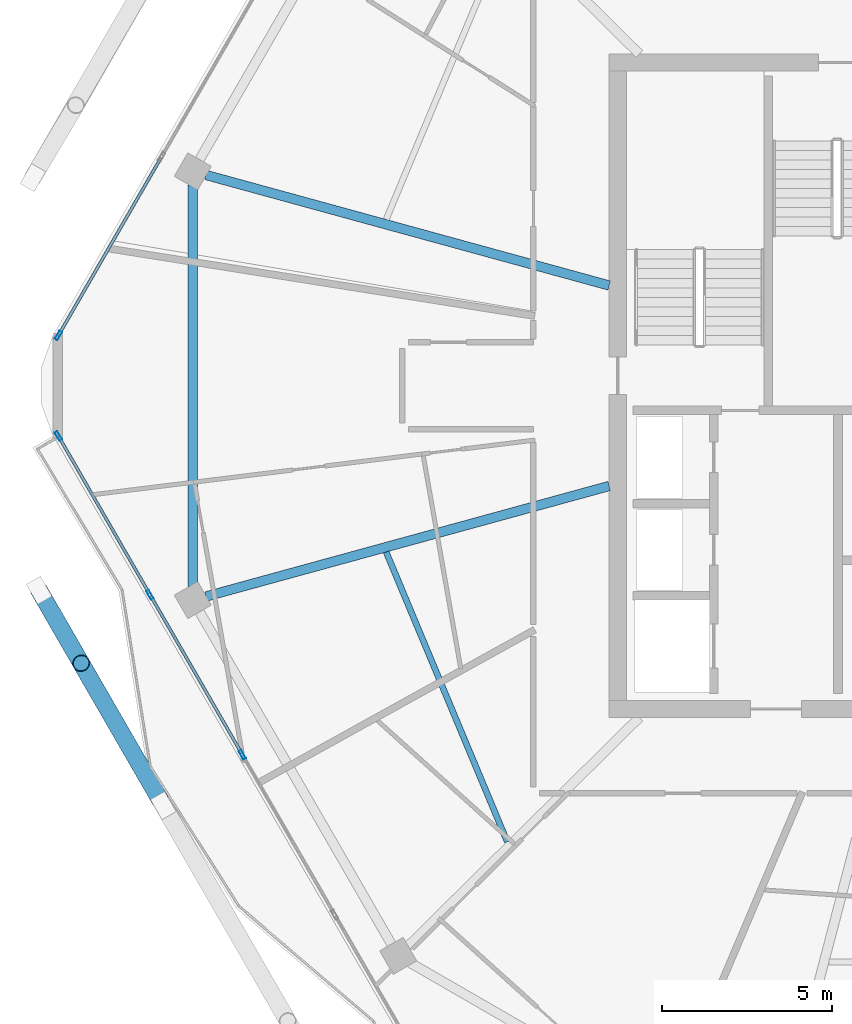
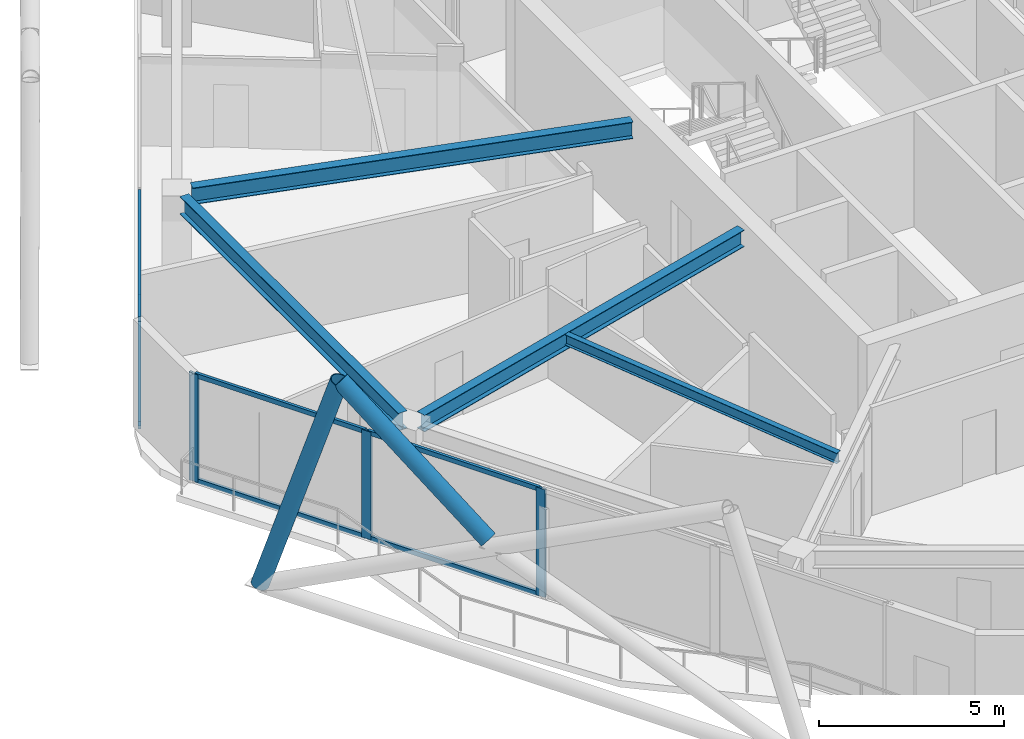
# One storey, part 5 of 23: 12 members, 4 beams, 2 elements without a shape of their own.
"""IFC4 building model written with IfcOpenShell, lengths in metres."""

from ifc_helpers import new_model, si_unit, direction, frame, origin, origin_2d, place, context, subcontext, project, spatial, hollow_rectangle, hollow_circle, i_section, extrude, material, material_profile, profile_set, type_object, element, aggregate, save


model = new_model("IFC4")

# Units and contexts
model_context = context("Model", 3, precision=1e-05, world=origin(), true_north=direction((0.0, 1.0)))
body_context = subcontext(model_context, "Body", "Model", "MODEL_VIEW")
ifc_project = project(units=[si_unit("LENGTHUNIT", "METRE"), si_unit("AREAUNIT", "SQUARE_METRE"), si_unit("VOLUMEUNIT", "CUBIC_METRE"), si_unit("PLANEANGLEUNIT", "RADIAN"), si_unit("MASSUNIT", "GRAM", prefix="KILO")], contexts=[model_context])

# Site, building, storey
site_placement = place(None, origin())
site = spatial("IfcSite", under=ifc_project, at=site_placement, CompositionType="ELEMENT")
building_placement = place(site_placement, origin())
building = spatial("IfcBuilding", under=site, at=building_placement, Name="Zuhravey Tower", CompositionType="ELEMENT")
storey_placement = place(building_placement, frame((0.0, 0.0, 331.0)))
storey = spatial("IfcBuildingStorey", under=building, at=storey_placement, Name="L84", CompositionType="ELEMENT", Elevation=331.0)

# Curtain wall, members
ifc_material_1 = material(Name="Thermally broken anodised aluminium", Category="aluminium")
curtain_wall_type = type_object("IfcCurtainWallType", Name="Zone 3-4 High-Rise Curtain Wall CW4", PredefinedType="NOTDEFINED", material=ifc_material_1)
curtain_wall_1_placement = place(storey_placement, origin())
curtain_wall_1 = element("IfcCurtainWall", 1, at=curtain_wall_1_placement, inside=storey, type_object=curtain_wall_type, Name="L84 CW4 CW-L84-F4-1", PredefinedType="NOTDEFINED")
ifc_material_2 = material(Name="Anodised aluminium", Category="aluminium")
ifc_material_profile_1 = material_profile(ifc_material_2, hollow_rectangle(XDim=0.090087890625, YDim=0.284912109375, WallThickness=0.0048828125, at=origin_2d()), Name="ALU-RHS-90x285x5")
ifc_profile_set_1 = profile_set([ifc_material_profile_1], Name="Anodised aluminium")
member_type_1 = type_object("IfcMemberType", Name="Curtain-Wall Mullion 90x180", PredefinedType="MULLION", material=ifc_profile_set_1)
member_1_placement = place(storey_placement, frame((14.462646484375, 21.155517578125, 0.0), z_axis=(0.0, 0.0, 1.0), x_axis=(-0.866024765255, -0.500001105964, 0.0)))
member_1 = element("IfcMember", 2, at=member_1_placement, type_object=member_type_1, Name="CW4 mullion 3", PredefinedType="MULLION", context=body_context, shape_type="SweptSolid", body=[
    extrude(hollow_rectangle(XDim=0.090087890625, YDim=0.284912109375, WallThickness=0.0048828125, at=origin_2d()), origin(), (0.0, 0.0, 1.0), 3.550048828125),
])
member_2_placement = place(storey_placement, frame((11.7470703125, 25.85888671875, 0.0), z_axis=(0.0, 0.0, 1.0), x_axis=(-0.866024765255, -0.500001105964, 0.0)))
member_2 = element("IfcMember", 3, at=member_2_placement, type_object=member_type_1, Name="CW4 mullion 4", PredefinedType="MULLION", context=body_context, shape_type="SweptSolid", body=[
    extrude(hollow_rectangle(XDim=0.090087890625, YDim=0.284912109375, WallThickness=0.0048828125, at=origin_2d()), origin(), (0.0, 0.0, 1.0), 3.550048828125),
])
member_3_placement = place(storey_placement, frame((9.05419921875, 30.5234375, 0.0), z_axis=(0.0, 0.0, 1.0), x_axis=(-0.866024765255, -0.500001105964, 0.0)))
member_3 = element("IfcMember", 4, at=member_3_placement, type_object=member_type_1, Name="CW4 mullion 5", PredefinedType="MULLION", context=body_context, shape_type="SweptSolid", body=[
    extrude(hollow_rectangle(XDim=0.090087890625, YDim=0.284912109375, WallThickness=0.0048828125, at=origin_2d()), origin(), (0.0, 0.0, 1.0), 3.550048828125),
])

# Curtain wall, member
curtain_wall_2_placement = place(storey_placement, origin())
curtain_wall_2 = element("IfcCurtainWall", 5, at=curtain_wall_2_placement, inside=storey, type_object=curtain_wall_type, Name="L84 CW4 CW-L84-F3-1", PredefinedType="NOTDEFINED")
member_4_placement = place(storey_placement, frame((9.05419921875, 33.4765625, 0.0), z_axis=(0.0, 0.0, 1.0), x_axis=(-0.866025511541, 0.49999981336, 0.0)))
member_4 = element("IfcMember", 6, at=member_4_placement, type_object=member_type_1, Name="CW4 mullion 1", PredefinedType="MULLION", context=body_context, shape_type="SweptSolid", body=[
    extrude(hollow_rectangle(XDim=0.090087890625, YDim=0.284912109375, WallThickness=0.0048828125, at=origin_2d()), origin(), (0.0, 0.0, 1.0), 3.550048828125),
])

# Member
ifc_material_profile_2 = material_profile(ifc_material_2, hollow_rectangle(XDim=0.090087890625, YDim=0.14990234375, WallThickness=0.0048828125, at=origin_2d()), Name="ALU-RHS-90x150x5")
ifc_profile_set_2 = profile_set([ifc_material_profile_2], Name="Anodised aluminium")
member_type_2 = type_object("IfcMemberType", Name="Curtain-Wall Transom 90x150", PredefinedType="USERDEFINED", material=ifc_profile_set_2)
member_5_placement = place(storey_placement, frame((14.440185546875, 21.194580078125, 0.044921875), z_axis=(-0.499983605767, 0.866034868793, 0.0), x_axis=(-0.866034868793, -0.499983605767, 0.0)))
member_5 = element("IfcMember", 7, at=member_5_placement, type_object=member_type_2, Name="CW4 transom 3.1", ObjectType="TRANSOM", PredefinedType="USERDEFINED", context=body_context, shape_type="SweptSolid", body=[
    extrude(hollow_rectangle(XDim=0.090087890625, YDim=0.14990234375, WallThickness=0.0048828125, at=origin_2d()), origin(), (0.0, 0.0, 1.0), 5.341064453125),
])

member_6_placement = place(storey_placement, frame((14.440185546875, 21.194580078125, 3.5048828125), z_axis=(-0.499983605767, 0.866034868793, 0.0), x_axis=(-0.866034868793, -0.499983605767, 0.0)))
member_6 = element("IfcMember", 8, at=member_6_placement, type_object=member_type_2, Name="CW4 transom 3.2", ObjectType="TRANSOM", PredefinedType="USERDEFINED", context=body_context, shape_type="SweptSolid", body=[
    extrude(hollow_rectangle(XDim=0.090087890625, YDim=0.14990234375, WallThickness=0.0048828125, at=origin_2d()), origin(), (0.0, 0.0, 1.0), 5.341064453125),
])

member_7_placement = place(storey_placement, frame((11.724609375, 25.89794921875, 0.044921875), z_axis=(-0.499976506984, 0.866038967058, 0.0), x_axis=(-0.866038967058, -0.499976506984, 0.0)))
member_7 = element("IfcMember", 9, at=member_7_placement, type_object=member_type_2, Name="CW4 transom 4.1", ObjectType="TRANSOM", PredefinedType="USERDEFINED", context=body_context, shape_type="SweptSolid", body=[
    extrude(hollow_rectangle(XDim=0.090087890625, YDim=0.14990234375, WallThickness=0.0048828125, at=origin_2d()), origin(), (0.0, 0.0, 1.0), 5.296142578125),
])

member_8_placement = place(storey_placement, frame((11.724609375, 25.89794921875, 3.5048828125), z_axis=(-0.499976506984, 0.866038967058, 0.0), x_axis=(-0.866038967058, -0.499976506984, 0.0)))
member_8 = element("IfcMember", 10, at=member_8_placement, type_object=member_type_2, Name="CW4 transom 4.2", ObjectType="TRANSOM", PredefinedType="USERDEFINED", context=body_context, shape_type="SweptSolid", body=[
    extrude(hollow_rectangle(XDim=0.090087890625, YDim=0.14990234375, WallThickness=0.0048828125, at=origin_2d()), origin(), (0.0, 0.0, 1.0), 5.296142578125),
])

aggregate(curtain_wall_1, [member_1, member_2, member_3, member_5, member_6, member_7, member_8])

member_9_placement = place(storey_placement, frame((9.07666015625, 33.515380859375, 0.044921875), z_axis=(0.499982594807, 0.866035452444, 0.0), x_axis=(-0.866035452444, 0.499982594807, 0.0)))
member_9 = element("IfcMember", 11, at=member_9_placement, type_object=member_type_2, Name="CW4 transom 1.1", ObjectType="TRANSOM", PredefinedType="USERDEFINED", context=body_context, shape_type="SweptSolid", body=[
    extrude(hollow_rectangle(XDim=0.090087890625, YDim=0.14990234375, WallThickness=0.0048828125, at=origin_2d()), origin(), (0.0, 0.0, 1.0), 5.984619140625),
])

member_10_placement = place(storey_placement, frame((9.07666015625, 33.515380859375, 3.5048828125), z_axis=(0.499982594807, 0.866035452444, 0.0), x_axis=(-0.866035452444, 0.499982594807, 0.0)))
member_10 = element("IfcMember", 12, at=member_10_placement, type_object=member_type_2, Name="CW4 transom 1.2", ObjectType="TRANSOM", PredefinedType="USERDEFINED", context=body_context, shape_type="SweptSolid", body=[
    extrude(hollow_rectangle(XDim=0.090087890625, YDim=0.14990234375, WallThickness=0.0048828125, at=origin_2d()), origin(), (0.0, 0.0, 1.0), 5.984619140625),
])

aggregate(curtain_wall_2, [member_4, member_9, member_10])

# Members
ifc_material_3 = material(Name="Steel SM355", Category="steel")
ifc_material_profile_3 = material_profile(ifc_material_3, hollow_circle(Radius=0.25390625, WallThickness=0.02490234375, at=origin_2d()), Name="CHS-508.0x25")
ifc_profile_set_3 = profile_set([ifc_material_profile_3], Name="Steel SM355")
member_type_3 = type_object("IfcMemberType", Name="Exoskeleton Zone 4 Diagrid CHS508x25", PredefinedType="BRACE", material=ifc_profile_set_3)
member_11_placement = place(storey_placement, frame((8.489013671875, 25.982421875, -0.447998046875), z_axis=(0.155227725192, -0.268842644559, 0.950593491351), x_axis=(0.866009569118, 0.500027425445, 0.0)))
element("IfcMember", 13, at=member_11_placement, inside=storey, type_object=member_type_3, Name="L84 Face 4 Diagrid Brace 1", PredefinedType="BRACE", context=body_context, shape_type="SweptSolid", body=[
    extrude(hollow_circle(Radius=0.25390625, WallThickness=0.02490234375, at=origin_2d()), origin(), (0.0, 0.0, 1.0), 7.96142578125),
])
member_12_placement = place(storey_placement, frame((12.044677734375, 19.82373046875, 3.487060546875), z_axis=(-0.392851490218, 0.680454086066, 0.618587054011), x_axis=(-0.866030286288, -0.49999154316, 0.0)))
element("IfcMember", 14, at=member_12_placement, inside=storey, type_object=member_type_3, Name="L84 Face 4 Split Diagrid Brace 3B", PredefinedType="BRACE", context=body_context, shape_type="SweptSolid", body=[
    extrude(hollow_circle(Radius=0.25390625, WallThickness=0.02490234375, at=origin_2d()), origin(), (0.0, 0.0, 1.0), 5.864013671875),
])

# Beams
ifc_material_profile_4 = material_profile(ifc_material_3, i_section(OverallWidth=0.280029296875, OverallDepth=0.580078125, WebThickness=0.011962890625, FlangeThickness=0.01904296875, at=origin_2d()), Name="H-580x280x12x19")
ifc_profile_set_4 = profile_set([ifc_material_profile_4], Name="Steel SM355")
beam_type_1 = type_object("IfcBeamType", Name="Perimeter Ring Beam H580x280", PredefinedType="BEAM", material=ifc_profile_set_4)
beam_1_placement = place(storey_placement, frame((13.006591796875, 37.8994140625, 3.260009765625), z_axis=(0.0, -1.0, 0.0), x_axis=(1.0, 0.0, 0.0)))
element("IfcBeam", 15, at=beam_1_placement, inside=storey, type_object=beam_type_1, Name="L84 PB4 BM-L84-PB-06", PredefinedType="BEAM", context=body_context, shape_type="SweptSolid", body=[
    extrude(i_section(OverallWidth=0.280029296875, OverallDepth=0.580078125, WebThickness=0.011962890625, FlangeThickness=0.01904296875, at=origin_2d()), origin(), (0.0, 0.0, 1.0), 11.798828125),
])
ifc_material_profile_5 = material_profile(ifc_material_3, i_section(OverallWidth=0.280029296875, OverallDepth=0.550048828125, WebThickness=0.010986328125, FlangeThickness=0.01806640625, at=origin_2d()), Name="H-550x280x11x18")
ifc_profile_set_5 = profile_set([ifc_material_profile_5], Name="Steel SM355")
beam_type_2 = type_object("IfcBeamType", Name="Radial Primary Girder H550x280", PredefinedType="BEAM", material=ifc_profile_set_5)
for number, where, z_axis, x_axis, name in (
    (16, (25.2470703125, 34.947265625, 3.27490234375), (-0.964427903067, 0.264346022829, 0.0), (-0.264346022829, -0.964427903067, 0.0), "L84 RG4 BM-L84-RAD-06"),
    (17, (25.2470703125, 29.052734375, 3.27490234375), (-0.964427903067, -0.264346022829, 0.0), (0.264346022829, -0.964427903067, 0.0), "L84 RG4 BM-L84-RAD-07"),
):
    element("IfcBeam", number, at=place(storey_placement, frame(where, z_axis=z_axis, x_axis=x_axis)), inside=storey, type_object=beam_type_2, Name=name, PredefinedType="BEAM", context=body_context, shape_type="SweptSolid", body=[
        extrude(i_section(OverallWidth=0.280029296875, OverallDepth=0.550048828125, WebThickness=0.010986328125, FlangeThickness=0.01806640625, at=origin_2d()), origin(), (0.0, 0.0, 1.0), 12.2890625),
    ])
ifc_material_profile_6 = material_profile(ifc_material_3, i_section(OverallWidth=0.175048828125, OverallDepth=0.35009765625, WebThickness=0.007080078125, FlangeThickness=0.010986328125, at=origin_2d()), Name="H-350x175x7x11")
ifc_profile_set_6 = profile_set([ifc_material_profile_6], Name="Steel SM355")
beam_type_3 = type_object("IfcBeamType", Name="Secondary Floor Joist H350x175", PredefinedType="JOIST", material=ifc_profile_set_6)
beam_2_placement = place(storey_placement, frame((18.692626953125, 27.108154296875, 3.375), z_axis=(0.385657891576, -0.922641853953, 0.0), x_axis=(0.922641853953, 0.385657891576, 0.0)))
element("IfcBeam", 18, at=beam_2_placement, inside=storey, type_object=beam_type_3, Name="L84 SJ3 BM-L84-SJ-07-1", PredefinedType="JOIST", context=body_context, shape_type="SweptSolid", body=[
    extrude(i_section(OverallWidth=0.175048828125, OverallDepth=0.35009765625, WebThickness=0.007080078125, FlangeThickness=0.010986328125, at=origin_2d()), origin(), (0.0, 0.0, 1.0), 9.226806640625),
])

save(model, "model.ifc")
